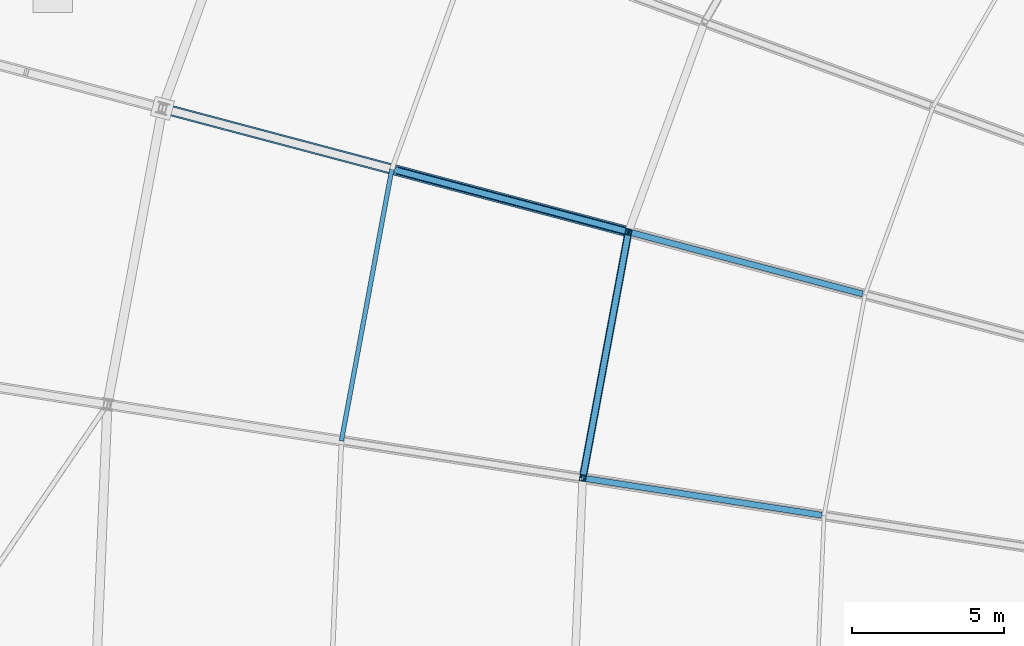
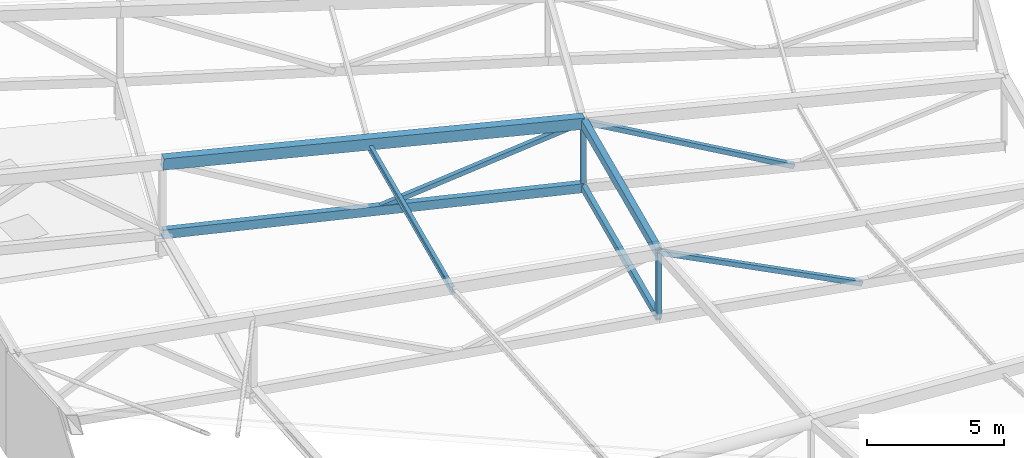
# One storey, part 42 of 143: 7 members, 3 beams.
"""IFC4 building model written with IfcOpenShell, lengths in metres."""

from ifc_helpers import new_model, si_unit, direction, frame, origin, origin_2d, place, context, subcontext, project, spatial, hollow_rectangle, i_section, extrude, material, material_profile, profile_set, type_object, element, save


model = new_model("IFC4")

# Units and contexts
model_context = context("Model", 3, precision=1e-05, world=origin(), true_north=direction((0.0, 1.0)))
body_context = subcontext(model_context, "Body", "Model", "MODEL_VIEW")
ifc_project = project(units=[si_unit("LENGTHUNIT", "METRE"), si_unit("AREAUNIT", "SQUARE_METRE"), si_unit("VOLUMEUNIT", "CUBIC_METRE"), si_unit("PLANEANGLEUNIT", "RADIAN"), si_unit("MASSUNIT", "GRAM", prefix="KILO")], contexts=[model_context])

# Site, building, storey
site_placement = place(None, origin())
site = spatial("IfcSite", under=ifc_project, at=site_placement, CompositionType="ELEMENT")
building_placement = place(site_placement, origin())
building = spatial("IfcBuilding", under=site, at=building_placement, Name="Mphavela Belvedere Stadium", CompositionType="ELEMENT")
storey_placement = place(building_placement, frame((0.0, 0.0, 28.800048828125)))
storey = spatial("IfcBuildingStorey", under=building, at=storey_placement, Name="RF", CompositionType="ELEMENT", Elevation=28.800048828125)

# Beams
ifc_material_1 = material(Name="Steel S355", Category="steel")
ifc_material_profile_1 = material_profile(ifc_material_1, hollow_rectangle(XDim=0.25, YDim=0.39990234375, WallThickness=0.01611328125, at=origin_2d()), Name="RHS 400x250x16")
ifc_profile_set_1 = profile_set([ifc_material_profile_1], Name="Steel S355")
beam_type_1 = type_object("IfcBeamType", Name="BM-RING-MID", PredefinedType="BEAM", material=ifc_profile_set_1)
beam_1_placement = place(storey_placement, frame((39.167724609375, 107.10986328125, 2.97705078125), z_axis=(-0.182438230803, -0.982234667217, -0.043947132546), x_axis=(0.983184563063, -0.182614662488, 0.0)))
element("IfcBeam", 1, at=beam_1_placement, inside=storey, type_object=beam_type_1, Name="Intermediate roof ring beam RB-MID-23", PredefinedType="BEAM", context=body_context, shape_type="SweptSolid", body=[
    extrude(hollow_rectangle(XDim=0.25, YDim=0.39990234375, WallThickness=0.01611328125, at=origin_2d()), origin(), (0.0, 0.0, 1.0), 8.2607421875),
])
ifc_material_2 = material(Name="Steel S355", Category="steel")
ifc_material_profile_2 = material_profile(ifc_material_2, hollow_rectangle(XDim=0.25, YDim=0.39990234375, WallThickness=0.01611328125, at=origin_2d()), Name="RHS 400x250x16")
ifc_profile_set_2 = profile_set([ifc_material_profile_2], Name="Steel S355")
beam_type_2 = type_object("IfcBeamType", Name="BM-TRUSS-BC2", PredefinedType="BEAM", material=ifc_profile_set_2)
beam_2_placement = place(storey_placement, frame((23.8125, 111.181884765625, 0.916748046875), z_axis=(0.965242685849, -0.255970788732, -0.052777956859), x_axis=(0.256328040197, 0.966589848803, 0.0)))
element("IfcBeam", 2, at=beam_2_placement, inside=storey, type_object=beam_type_2, Name="Radial roof truss RT-23 bottom chord 2", PredefinedType="BEAM", context=body_context, shape_type="SweptSolid", body=[
    extrude(hollow_rectangle(XDim=0.25, YDim=0.39990234375, WallThickness=0.01611328125, at=origin_2d()), origin(), (0.0, 0.0, 1.0), 15.908203125),
])
ifc_material_3 = material(Name="Steel S355", Category="steel")
ifc_material_profile_3 = material_profile(ifc_material_3, hollow_rectangle(XDim=0.35009765625, YDim=0.5, WallThickness=0.02001953125, at=origin_2d()), Name="RHS 500x350x20")
ifc_profile_set_3 = profile_set([ifc_material_profile_3], Name="Steel S355")
beam_type_3 = type_object("IfcBeamType", Name="BM-TRUSS-TC2", PredefinedType="BEAM", material=ifc_profile_set_3)
beam_3_placement = place(storey_placement, frame((23.8125, 111.181884765625, 4.06689453125), z_axis=(0.964323205895, -0.255726953671, -0.068443259259), x_axis=(0.256328040197, 0.966589848803, 0.0)))
element("IfcBeam", 3, at=beam_3_placement, inside=storey, type_object=beam_type_3, Name="Radial roof truss RT-23 top chord 2", PredefinedType="BEAM", context=body_context, shape_type="SweptSolid", body=[
    extrude(hollow_rectangle(XDim=0.35009765625, YDim=0.5, WallThickness=0.02001953125, at=origin_2d()), origin(), (0.0, 0.0, 1.0), 15.92333984375),
])

# Members
ifc_material_4 = material(Name="Steel S355", Category="steel")
ifc_material_profile_4 = material_profile(ifc_material_4, hollow_rectangle(XDim=0.199951171875, YDim=0.199951171875, WallThickness=0.010009765625, at=origin_2d()), Name="SHS 200x200x10")
ifc_profile_set_4 = profile_set([ifc_material_profile_4], Name="Steel S355")
member_type_1 = type_object("IfcMemberType", Name="MEM-POST-SHS200", PredefinedType="POST", material=ifc_profile_set_4)
member_1_placement = place(storey_placement, frame((39.167724609375, 107.10986328125, 0.0771484375), z_axis=(0.0, 0.0, 1.0), x_axis=(-0.966600102017, 0.256289373133, 0.0)))
element("IfcMember", 4, at=member_1_placement, inside=storey, type_object=member_type_1, Name="Radial roof truss RT-23 post P3", PredefinedType="POST", context=body_context, shape_type="SweptSolid", body=[
    extrude(hollow_rectangle(XDim=0.199951171875, YDim=0.199951171875, WallThickness=0.010009765625, at=origin_2d()), origin(), (0.0, 0.0, 1.0), 2.89990234375),
])
member_2_placement = place(storey_placement, frame((31.489990234375, 109.145751953125, 0.4970703125), z_axis=(0.922668992957, -0.24466219576, 0.298030769221), x_axis=(0.256309874085, 0.966594666055, 0.0)))
element("IfcMember", 5, at=member_2_placement, inside=storey, type_object=member_type_1, Name="Radial roof truss RT-23 web diagonal D4", PredefinedType="POST", context=body_context, shape_type="SweptSolid", body=[
    extrude(hollow_rectangle(XDim=0.199951171875, YDim=0.199951171875, WallThickness=0.010009765625, at=origin_2d()), origin(), (0.0, 0.0, 1.0), 8.3212890625),
])
member_3_placement = place(storey_placement, frame((39.167724609375, 107.10986328125, 2.97705078125), z_axis=(0.887796291564, -0.235443305509, -0.395454415296), x_axis=(0.256338590818, 0.966587050843, 0.0)))
element("IfcMember", 6, at=member_3_placement, inside=storey, type_object=member_type_1, Name="Radial roof truss RT-23 web diagonal D5", PredefinedType="POST", context=body_context, shape_type="SweptSolid", body=[
    extrude(hollow_rectangle(XDim=0.199951171875, YDim=0.199951171875, WallThickness=0.010009765625, at=origin_2d()), origin(), (0.0, 0.0, 1.0), 8.648193359375),
])
member_4_placement = place(storey_placement, frame((37.66064453125, 98.995849609375, -0.285888671875), z_axis=(0.0, 0.0, 1.0), x_axis=(-0.98817491911, 0.153330783737, 0.0)))
element("IfcMember", 7, at=member_4_placement, inside=storey, type_object=member_type_1, Name="Radial roof truss RT-24 post P3", PredefinedType="POST", context=body_context, shape_type="SweptSolid", body=[
    extrude(hollow_rectangle(XDim=0.199951171875, YDim=0.199951171875, WallThickness=0.010009765625, at=origin_2d()), origin(), (0.0, 0.0, 1.0), 2.89990234375),
])
member_5_placement = place(storey_placement, frame((37.66064453125, 98.995849609375, 2.614013671875), z_axis=(0.908822658651, -0.140943594429, -0.392652872538), x_axis=(0.153251739391, 0.988187180839, 0.0)))
element("IfcMember", 8, at=member_5_placement, inside=storey, type_object=member_type_1, Name="Radial roof truss RT-24 web diagonal D5", PredefinedType="POST", context=body_context, shape_type="SweptSolid", body=[
    extrude(hollow_rectangle(XDim=0.199951171875, YDim=0.199951171875, WallThickness=0.010009765625, at=origin_2d()), origin(), (0.0, 0.0, 1.0), 8.615966796875),
])
ifc_material_5 = material(Name="Steel S355", Category="steel")
ifc_material_profile_5 = material_profile(ifc_material_5, i_section(OverallWidth=0.14990234375, OverallDepth=0.300048828125, WebThickness=0.007080078125, FlangeThickness=0.0107421875, at=origin_2d()), Name="IPE 300")
ifc_profile_set_5 = profile_set([ifc_material_profile_5], Name="Steel S355")
member_type_2 = type_object("IfcMemberType", Name="MEM-PURLIN-IPE300", PredefinedType="PURLIN", material=ifc_profile_set_5)
member_6_placement = place(storey_placement, frame((31.3720703125, 109.17724609375, 3.34033203125), z_axis=(-0.182446845795, -0.982232930682, -0.043950180244), x_axis=(0.983182956793, -0.18262331032, 0.0)))
element("IfcMember", 9, at=member_6_placement, inside=storey, type_object=member_type_2, Name="Saddle canopy steel purlin 23-2", PredefinedType="PURLIN", context=body_context, shape_type="SweptSolid", body=[
    extrude(i_section(OverallWidth=0.14990234375, OverallDepth=0.300048828125, WebThickness=0.007080078125, FlangeThickness=0.0107421875, at=origin_2d()), origin(), (0.0, 0.0, 1.0), 9.110107421875),
])
ifc_material_6 = material(Name="Steel S355", Category="steel")
ifc_material_profile_6 = material_profile(ifc_material_6, hollow_rectangle(XDim=0.199951171875, YDim=0.300048828125, WallThickness=0.011962890625, at=origin_2d()), Name="RHS 300x200x12")
ifc_profile_set_6 = profile_set([ifc_material_profile_6], Name="Steel S355")
member_type_3 = type_object("IfcMemberType", Name="MEM-SEC-CHORD", PredefinedType="CHORD", material=ifc_profile_set_6)
member_7_placement = place(storey_placement, frame((39.167724609375, 107.10986328125, 0.0771484375), z_axis=(-0.182438230803, -0.982234667217, -0.043947132546), x_axis=(0.983184563063, -0.182614662488, 0.0)))
element("IfcMember", 10, at=member_7_placement, inside=storey, type_object=member_type_3, Name="Secondary bottom roof tie chord 23", PredefinedType="CHORD", context=body_context, shape_type="SweptSolid", body=[
    extrude(hollow_rectangle(XDim=0.199951171875, YDim=0.300048828125, WallThickness=0.011962890625, at=origin_2d()), origin(), (0.0, 0.0, 1.0), 8.2607421875),
])

save(model, "model.ifc")
